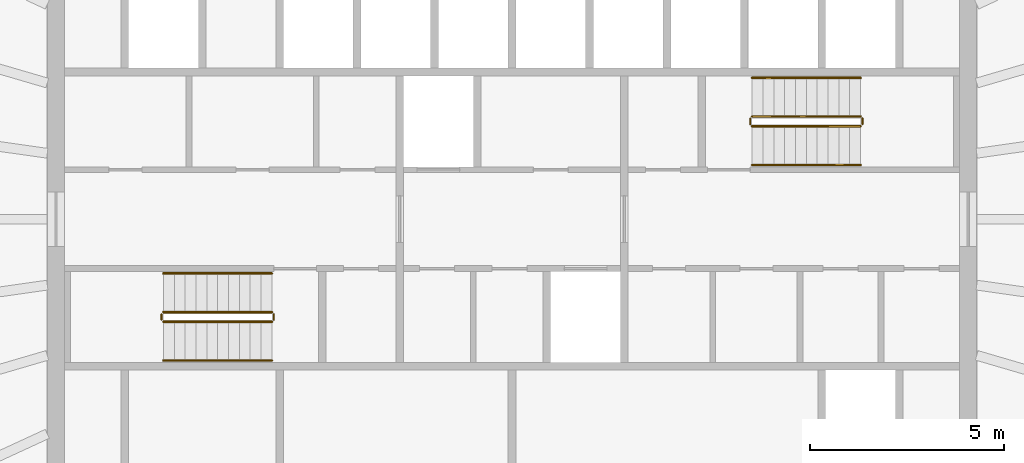
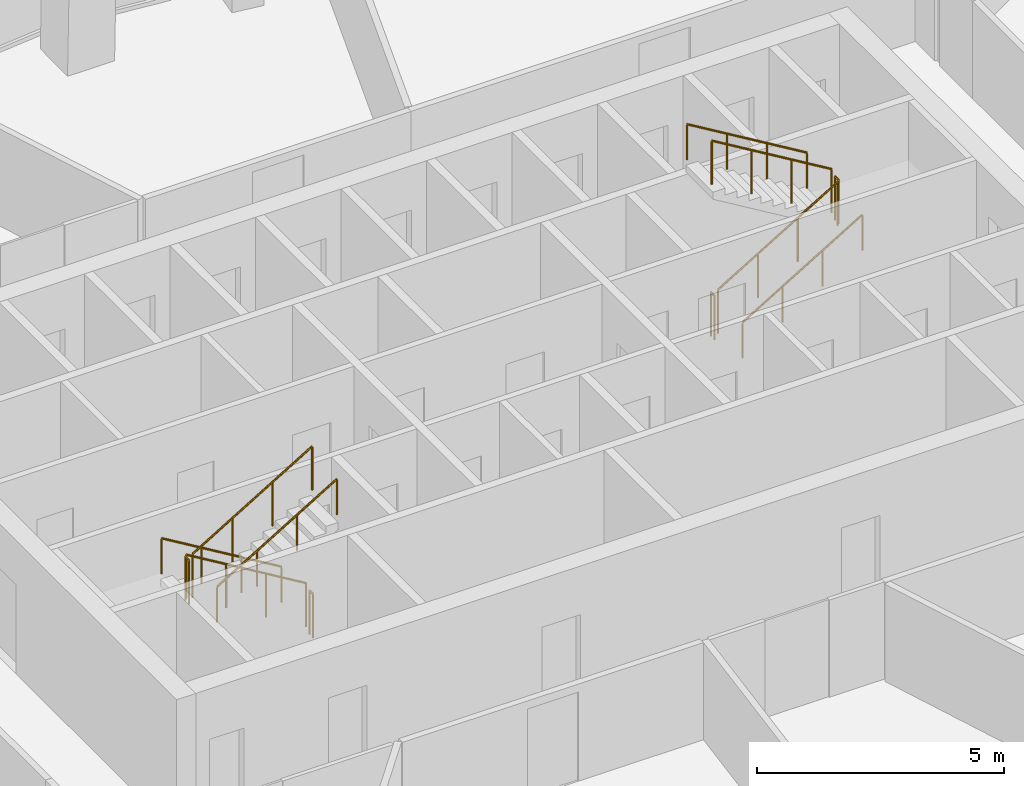
# One storey, part 11 of 11: 12 railings.
"""IFC4 building model written with IfcOpenShell, lengths in metres."""

from ifc_helpers import new_model, si_unit, direction, frame, origin, origin_2d, place, context, subcontext, project, spatial, circle, extrude, material, type_object, element, save


model = new_model("IFC4")

# Units and contexts
model_context = context("Model", 3, precision=1e-05, world=origin(), true_north=direction((0.0, 1.0)))
body_context = subcontext(model_context, "Body", "Model", "MODEL_VIEW")
ifc_project = project(units=[si_unit("LENGTHUNIT", "METRE"), si_unit("AREAUNIT", "SQUARE_METRE"), si_unit("VOLUMEUNIT", "CUBIC_METRE"), si_unit("PLANEANGLEUNIT", "RADIAN"), si_unit("MASSUNIT", "GRAM", prefix="KILO")], contexts=[model_context])

# Site, building, storey
site_placement = place(None, origin())
site = spatial("IfcSite", under=ifc_project, at=site_placement, CompositionType="ELEMENT")
building_placement = place(site_placement, origin())
building = spatial("IfcBuilding", under=site, at=building_placement, Name="Siaravel Broadcast Tower", CompositionType="ELEMENT")
storey_placement = place(building_placement, frame((0.0, 0.0, 194.10009765625)))
storey = spatial("IfcBuildingStorey", under=building, at=storey_placement, Name="L47", CompositionType="ELEMENT", Elevation=194.10009765625)

# Railings
ifc_material = material(Name="Stainless steel 316L", Category="steel")
railing_type_1 = type_object("IfcRailingType", Name="Stair guard 1100", PredefinedType="GUARDRAIL", material=ifc_material)
railing_1_placement = place(storey_placement, frame((-6.199951171875, -2.39990234375, 0.16796875)))
element("IfcRailing", 1, at=railing_1_placement, inside=storey, type_object=railing_type_1, Name="L47 ST-1 stair guard 1", PredefinedType="GUARDRAIL", context=body_context, shape_type="SweptSolid", body=[
    extrude(circle(Radius=0.02392578125, at=origin_2d()), frame((0.0, 0.0, 1.076171875), z_axis=(-0.857242211, 0.0, 0.514913383), x_axis=(0.0, -1.0, 0.0)), (0.0, 0.0, 1.0), 3.266357421875),
    extrude(circle(Radius=0.02099609375, at=origin_2d()), origin(), (0.0, 0.0, 1.0), 1.052001953125),
    extrude(circle(Radius=0.02099609375, at=origin_2d()), frame((-0.933349609375, 0.0, 0.560546875)), (0.0, 0.0, 1.0), 1.052001953125),
    extrude(circle(Radius=0.02099609375, at=origin_2d()), frame((-1.86669921875, 0.0, 1.121337890625)), (0.0, 0.0, 1.0), 1.052001953125),
    extrude(circle(Radius=0.02099609375, at=origin_2d()), frame((-2.800048828125, 0.0, 1.681884765625)), (0.0, 0.0, 1.0), 1.052001953125),
])
railing_2_placement = place(storey_placement, frame((-9.050048828125, -2.449951171875, 1.849853515625)))
element("IfcRailing", 2, at=railing_2_placement, inside=storey, type_object=railing_type_1, Name="L47 ST-1 stair guard 2", PredefinedType="GUARDRAIL", context=body_context, shape_type="SweptSolid", body=[
    extrude(circle(Radius=0.02392578125, at=origin_2d()), frame((0.0, 0.0, 1.076171875), z_axis=(0.0, -1.0, 0.0), x_axis=(1.0, 0.0, 0.0)), (0.0, 0.0, 1.0), 0.150146484375),
    extrude(circle(Radius=0.02099609375, at=origin_2d()), origin(), (0.0, 0.0, 1.0), 1.052001953125),
    extrude(circle(Radius=0.02099609375, at=origin_2d()), frame((0.0, -0.150146484375, 0.0)), (0.0, 0.0, 1.0), 1.052001953125),
])
railing_3_placement = place(storey_placement, frame((-9.0, -2.64990234375, 2.01806640625)))
element("IfcRailing", 3, at=railing_3_placement, inside=storey, type_object=railing_type_1, Name="L47 ST-1 stair guard 3", PredefinedType="GUARDRAIL", context=body_context, shape_type="SweptSolid", body=[
    extrude(circle(Radius=0.02392578125, at=origin_2d()), frame((0.0, 0.0, 1.076171875), z_axis=(0.857242211, 0.0, 0.514913383), x_axis=(0.0, 1.0, 0.0)), (0.0, 0.0, 1.0), 3.266357421875),
    extrude(circle(Radius=0.02099609375, at=origin_2d()), origin(), (0.0, 0.0, 1.0), 1.052001953125),
    extrude(circle(Radius=0.02099609375, at=origin_2d()), frame((0.933349609375, 0.0, 0.560546875)), (0.0, 0.0, 1.0), 1.052001953125),
    extrude(circle(Radius=0.02099609375, at=origin_2d()), frame((1.86669921875, 0.0, 1.121337890625)), (0.0, 0.0, 1.0), 1.052001953125),
    extrude(circle(Radius=0.02099609375, at=origin_2d()), frame((2.800048828125, 0.0, 1.681884765625)), (0.0, 0.0, 1.0), 1.052001953125),
])
railing_4_placement = place(storey_placement, frame((-6.14990234375, -2.449951171875, 0.0)))
element("IfcRailing", 4, at=railing_4_placement, inside=storey, type_object=railing_type_1, Name="L47 ST-1 stair guard 4", PredefinedType="GUARDRAIL", context=body_context, shape_type="SweptSolid", body=[
    extrude(circle(Radius=0.02392578125, at=origin_2d()), frame((0.0, 0.0, 1.076171875), z_axis=(0.0, -1.0, 0.0), x_axis=(1.0, 0.0, 0.0)), (0.0, 0.0, 1.0), 0.150146484375),
    extrude(circle(Radius=0.02099609375, at=origin_2d()), origin(), (0.0, 0.0, 1.0), 1.052001953125),
    extrude(circle(Radius=0.02099609375, at=origin_2d()), frame((0.0, -0.150146484375, 0.0)), (0.0, 0.0, 1.0), 1.052001953125),
])
railing_5_placement = place(storey_placement, frame((6.199951171875, 2.39990234375, 0.16796875)))
element("IfcRailing", 5, at=railing_5_placement, inside=storey, type_object=railing_type_1, Name="L47 ST-2 stair guard 1", PredefinedType="GUARDRAIL", context=body_context, shape_type="SweptSolid", body=[
    extrude(circle(Radius=0.02392578125, at=origin_2d()), frame((0.0, 0.0, 1.076171875), z_axis=(0.857242211, 0.0, 0.514913383), x_axis=(0.0, 1.0, 0.0)), (0.0, 0.0, 1.0), 3.266357421875),
    extrude(circle(Radius=0.02099609375, at=origin_2d()), origin(), (0.0, 0.0, 1.0), 1.052001953125),
    extrude(circle(Radius=0.02099609375, at=origin_2d()), frame((0.933349609375, 0.0, 0.560546875)), (0.0, 0.0, 1.0), 1.052001953125),
    extrude(circle(Radius=0.02099609375, at=origin_2d()), frame((1.86669921875, 0.0, 1.121337890625)), (0.0, 0.0, 1.0), 1.052001953125),
    extrude(circle(Radius=0.02099609375, at=origin_2d()), frame((2.800048828125, 0.0, 1.681884765625)), (0.0, 0.0, 1.0), 1.052001953125),
])
railing_6_placement = place(storey_placement, frame((9.050048828125, 2.449951171875, 1.849853515625)))
element("IfcRailing", 6, at=railing_6_placement, inside=storey, type_object=railing_type_1, Name="L47 ST-2 stair guard 2", PredefinedType="GUARDRAIL", context=body_context, shape_type="SweptSolid", body=[
    extrude(circle(Radius=0.02392578125, at=origin_2d()), frame((0.0, 0.0, 1.076171875), z_axis=(0.0, 1.0, 0.0), x_axis=(-1.0, 0.0, 0.0)), (0.0, 0.0, 1.0), 0.150146484375),
    extrude(circle(Radius=0.02099609375, at=origin_2d()), origin(), (0.0, 0.0, 1.0), 1.052001953125),
    extrude(circle(Radius=0.02099609375, at=origin_2d()), frame((0.0, 0.150146484375, 0.0)), (0.0, 0.0, 1.0), 1.052001953125),
])
railing_7_placement = place(storey_placement, frame((9.0, 2.64990234375, 2.01806640625)))
element("IfcRailing", 7, at=railing_7_placement, inside=storey, type_object=railing_type_1, Name="L47 ST-2 stair guard 3", PredefinedType="GUARDRAIL", context=body_context, shape_type="SweptSolid", body=[
    extrude(circle(Radius=0.02392578125, at=origin_2d()), frame((0.0, 0.0, 1.076171875), z_axis=(-0.857242211, 0.0, 0.514913383), x_axis=(0.0, -1.0, 0.0)), (0.0, 0.0, 1.0), 3.266357421875),
    extrude(circle(Radius=0.02099609375, at=origin_2d()), origin(), (0.0, 0.0, 1.0), 1.052001953125),
    extrude(circle(Radius=0.02099609375, at=origin_2d()), frame((-0.933349609375, 0.0, 0.560546875)), (0.0, 0.0, 1.0), 1.052001953125),
    extrude(circle(Radius=0.02099609375, at=origin_2d()), frame((-1.86669921875, 0.0, 1.121337890625)), (0.0, 0.0, 1.0), 1.052001953125),
    extrude(circle(Radius=0.02099609375, at=origin_2d()), frame((-2.800048828125, 0.0, 1.681884765625)), (0.0, 0.0, 1.0), 1.052001953125),
])
railing_8_placement = place(storey_placement, frame((6.14990234375, 2.449951171875, 0.0)))
element("IfcRailing", 8, at=railing_8_placement, inside=storey, type_object=railing_type_1, Name="L47 ST-2 stair guard 4", PredefinedType="GUARDRAIL", context=body_context, shape_type="SweptSolid", body=[
    extrude(circle(Radius=0.02392578125, at=origin_2d()), frame((0.0, 0.0, 1.076171875), z_axis=(0.0, 1.0, 0.0), x_axis=(-1.0, 0.0, 0.0)), (0.0, 0.0, 1.0), 0.150146484375),
    extrude(circle(Radius=0.02099609375, at=origin_2d()), origin(), (0.0, 0.0, 1.0), 1.052001953125),
    extrude(circle(Radius=0.02099609375, at=origin_2d()), frame((0.0, 0.150146484375, 0.0)), (0.0, 0.0, 1.0), 1.052001953125),
])
railing_type_2 = type_object("IfcRailingType", Name="Stair handrail 900", PredefinedType="HANDRAIL", material=ifc_material)
railing_9_placement = place(storey_placement, frame((-6.199951171875, -1.39990234375, 0.16796875)))
element("IfcRailing", 9, at=railing_9_placement, inside=storey, type_object=railing_type_2, Name="L47 ST-1 stair handrail 1", PredefinedType="HANDRAIL", context=body_context, shape_type="SweptSolid", body=[
    extrude(circle(Radius=0.02392578125, at=origin_2d()), frame((0.0, 0.0, 0.8759765625), z_axis=(-0.857242211, 0.0, 0.514913383), x_axis=(0.0, -1.0, 0.0)), (0.0, 0.0, 1.0), 3.266357421875),
    extrude(circle(Radius=0.02099609375, at=origin_2d()), origin(), (0.0, 0.0, 1.0), 0.851806640625),
    extrude(circle(Radius=0.02099609375, at=origin_2d()), frame((-0.933349609375, 0.0, 0.560546875)), (0.0, 0.0, 1.0), 0.851806640625),
    extrude(circle(Radius=0.02099609375, at=origin_2d()), frame((-1.86669921875, 0.0, 1.121337890625)), (0.0, 0.0, 1.0), 0.851806640625),
    extrude(circle(Radius=0.02099609375, at=origin_2d()), frame((-2.800048828125, 0.0, 1.681884765625)), (0.0, 0.0, 1.0), 0.851806640625),
])
for number, where, name in (
    (10, (-9.0, -3.64990234375, 2.01806640625), "L47 ST-1 stair handrail 2"),
    (11, (6.199951171875, 1.39990234375, 0.16796875), "L47 ST-2 stair handrail 1"),
):
    element("IfcRailing", number, at=place(storey_placement, frame(where)), inside=storey, type_object=railing_type_2, Name=name, PredefinedType="HANDRAIL", context=body_context, shape_type="SweptSolid", body=[
        extrude(circle(Radius=0.02392578125, at=origin_2d()), frame((0.0, 0.0, 0.8759765625), z_axis=(0.857242211, 0.0, 0.514913383), x_axis=(0.0, 1.0, 0.0)), (0.0, 0.0, 1.0), 3.266357421875),
        extrude(circle(Radius=0.02099609375, at=origin_2d()), origin(), (0.0, 0.0, 1.0), 0.851806640625),
        extrude(circle(Radius=0.02099609375, at=origin_2d()), frame((0.933349609375, 0.0, 0.560546875)), (0.0, 0.0, 1.0), 0.851806640625),
        extrude(circle(Radius=0.02099609375, at=origin_2d()), frame((1.86669921875, 0.0, 1.121337890625)), (0.0, 0.0, 1.0), 0.851806640625),
        extrude(circle(Radius=0.02099609375, at=origin_2d()), frame((2.800048828125, 0.0, 1.681884765625)), (0.0, 0.0, 1.0), 0.851806640625),
    ])
railing_10_placement = place(storey_placement, frame((9.0, 3.64990234375, 2.01806640625)))
element("IfcRailing", 12, at=railing_10_placement, inside=storey, type_object=railing_type_2, Name="L47 ST-2 stair handrail 2", PredefinedType="HANDRAIL", context=body_context, shape_type="SweptSolid", body=[
    extrude(circle(Radius=0.02392578125, at=origin_2d()), frame((0.0, 0.0, 0.8759765625), z_axis=(-0.857242211, 0.0, 0.514913383), x_axis=(0.0, -1.0, 0.0)), (0.0, 0.0, 1.0), 3.266357421875),
    extrude(circle(Radius=0.02099609375, at=origin_2d()), origin(), (0.0, 0.0, 1.0), 0.851806640625),
    extrude(circle(Radius=0.02099609375, at=origin_2d()), frame((-0.933349609375, 0.0, 0.560546875)), (0.0, 0.0, 1.0), 0.851806640625),
    extrude(circle(Radius=0.02099609375, at=origin_2d()), frame((-1.86669921875, 0.0, 1.121337890625)), (0.0, 0.0, 1.0), 0.851806640625),
    extrude(circle(Radius=0.02099609375, at=origin_2d()), frame((-2.800048828125, 0.0, 1.681884765625)), (0.0, 0.0, 1.0), 0.851806640625),
])

save(model, "model.ifc")
